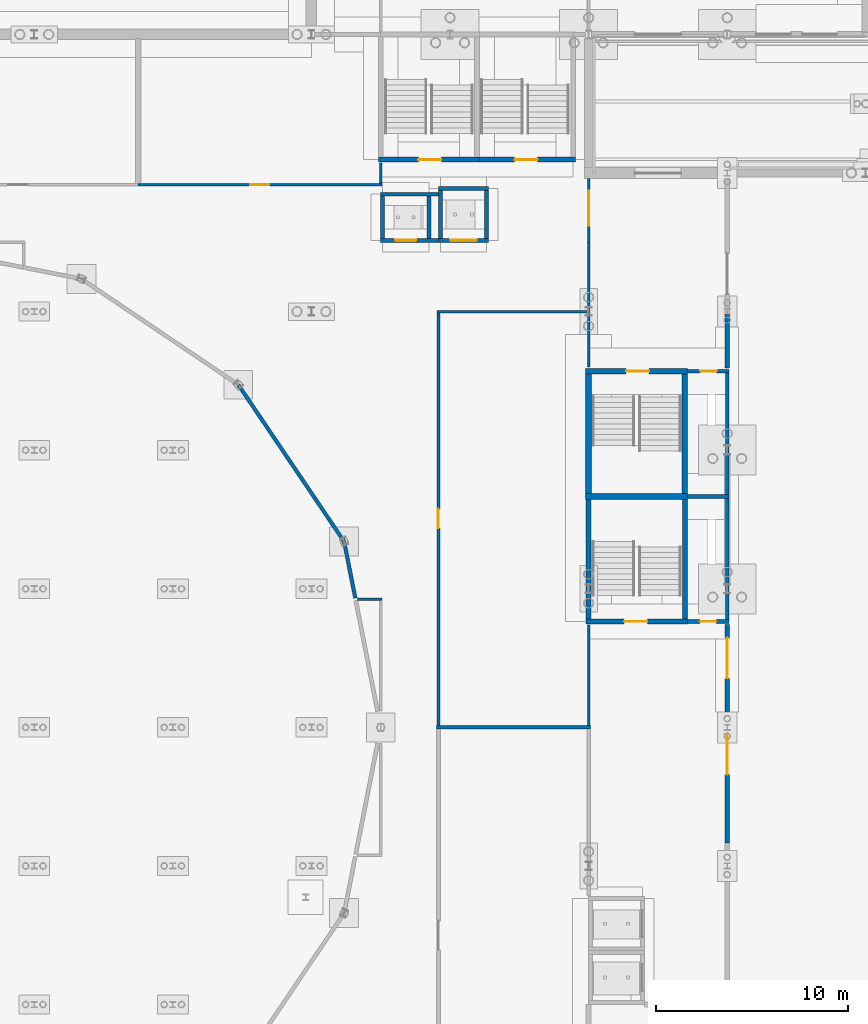
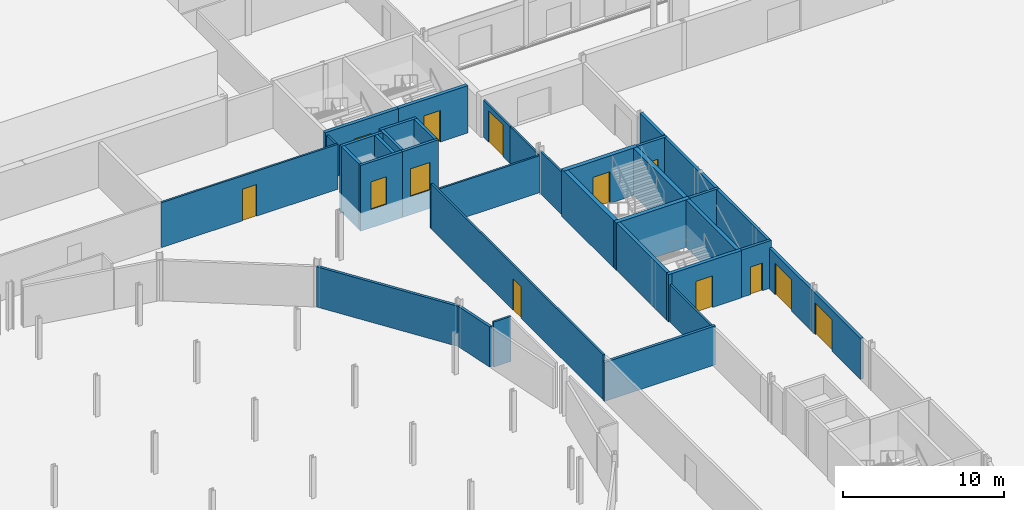
# One storey, part 84 of 148: 36 walls, 13 doors, 13 openings.
"""IFC4 building model written with IfcOpenShell, lengths in metres."""

from ifc_helpers import new_model, si_unit, direction, frame, frame_2d, origin, place, context, subcontext, project, spatial, rectangle, extrude, material, layer, layer_set, type_object, element, fill, save


model = new_model("IFC4")

# Units and contexts
model_context = context("Model", 3, precision=1e-05, world=origin(), true_north=direction((0.0, 1.0)))
body_context = subcontext(model_context, "Body", "Model", "MODEL_VIEW")
ifc_project = project(units=[si_unit("LENGTHUNIT", "METRE"), si_unit("AREAUNIT", "SQUARE_METRE"), si_unit("VOLUMEUNIT", "CUBIC_METRE"), si_unit("PLANEANGLEUNIT", "RADIAN"), si_unit("MASSUNIT", "GRAM", prefix="KILO")], contexts=[model_context])

# Site, building, storey
site_placement = place(None, origin())
site = spatial("IfcSite", under=ifc_project, at=site_placement, CompositionType="ELEMENT")
building_placement = place(site_placement, origin())
building = spatial("IfcBuilding", under=site, at=building_placement, Name="Kupolbacken Congress Centre", CompositionType="ELEMENT")
storey_placement = place(building_placement, origin())
storey = spatial("IfcBuildingStorey", under=building, at=storey_placement, Name="L00", CompositionType="ELEMENT", Elevation=0.0)

# Wall, opening, door
ifc_material_1 = material(Name="Gypsum board", Category="drywall")
ifc_layer_1 = layer(ifc_material_1, 0.135009765625)
ifc_layer_set_1 = layer_set([ifc_layer_1], Name="Gypsum board")
wall_type_1 = type_object("IfcWallType", Name="P06 compartment wall 135", PredefinedType="PARTITIONING", material=ifc_layer_set_1)
wall_1_placement = place(storey_placement, frame((79.199951171875, 114.919921875, 0.0), z_axis=(0.0, 0.0, 1.0), x_axis=(0.0, -1.0, 0.0)))
wall_1 = element("IfcWall", 1, at=wall_1_placement, inside=storey, type_object=wall_type_1, Name="PD/L00/W010", PredefinedType="PARTITIONING", context=body_context, shape_type="SweptSolid", body=[
    extrude(rectangle(XDim=3.31982421875, YDim=0.135009765625, at=frame_2d((1.659912109375, 0.0))), origin(), (0.0, 0.0, 1.0), 2.81005859375),
])
opening_1_placement = place(wall_1_placement, frame((0.64990234375, 0.0, 0.0)))
opening_1 = element("IfcOpeningElement", 2, at=opening_1_placement, cuts=wall_1, Name="Opening 0.P24", PredefinedType="OPENING", context=body_context, shape_type="SweptSolid", body=[
    extrude(rectangle(XDim=1.800048828125, YDim=2.39990234375, at=frame_2d((0.89990234375, 1.199951171875))), frame((0.0, 0.077392578125, 0.0), z_axis=(0.0, -1.0, 0.0), x_axis=(1.0, 0.0, 0.0)), (0.0, 0.0, 1.0), 0.155029296875),
])
ifc_material_2 = material(Name="Steel fire door leaf", Category="steel")
door_type_1 = type_object("IfcDoorType", Name="D15 fire door 1800x2400", OperationType="DOUBLE_DOOR_SINGLE_SWING", PredefinedType="DOOR", material=ifc_material_2)
door_1_placement = place(opening_1_placement, origin())
door_1 = element("IfcDoor", 3, at=door_1_placement, inside=storey, type_object=door_type_1, Name="PD/L00/W010/D0P24", OperationType="DOUBLE_DOOR_SINGLE_SWING", OverallHeight=2.39990234375, OverallWidth=1.800048828125, PredefinedType="DOOR", context=body_context, shape_type="SweptSolid", body=[
    extrude(rectangle(XDim=1.800048828125, YDim=2.39990234375, at=frame_2d((0.89990234375, 1.199951171875))), frame((0.0, 0.02490234375, 0.0), z_axis=(0.0, -1.0, 0.0), x_axis=(1.0, 0.0, 0.0)), (0.0, 0.0, 1.0), 0.050048828125),
])
fill(opening_1, door_1)

# Walls
wall_2_placement = place(storey_placement, frame((68.39990234375, 114.66748046875, 0.0), z_axis=(0.0, 0.0, 1.0), x_axis=(0.0, 1.0, 0.0)))
element("IfcWall", 4, at=wall_2_placement, inside=storey, type_object=wall_type_1, Name="PD/L00/W011", PredefinedType="PARTITIONING", context=body_context, shape_type="SweptSolid", body=[
    extrude(rectangle(XDim=1.047607421875, YDim=0.135009765625, at=frame_2d((0.52392578125, 0.0))), origin(), (0.0, 0.0, 1.0), 3.419921875),
])
wall_3_placement = place(storey_placement, frame((79.199951171875, 91.715087890625, 0.0), z_axis=(0.0, 0.0, 1.0), x_axis=(0.0, -1.0, 0.0)))
element("IfcWall", 5, at=wall_3_placement, inside=storey, type_object=wall_type_1, Name="PD/L00/W018", PredefinedType="PARTITIONING", context=body_context, shape_type="SweptSolid", body=[
    extrude(rectangle(XDim=5.219970703125, YDim=0.135009765625, at=frame_2d((2.60986328125, 0.0))), origin(), (0.0, 0.0, 1.0), 2.860107421875),
])
wall_4_placement = place(storey_placement, frame((79.199951171875, 107.9326171875, 0.0), z_axis=(0.0, 0.0, 1.0), x_axis=(0.0, -1.0, 0.0)))
element("IfcWall", 6, at=wall_4_placement, inside=storey, type_object=wall_type_1, Name="PD/L00/W020", PredefinedType="PARTITIONING", context=body_context, shape_type="SweptSolid", body=[
    extrude(rectangle(XDim=2.822509765625, YDim=0.135009765625, at=frame_2d((1.4111328125, 0.0))), origin(), (0.0, 0.0, 1.0), 3.2099609375),
])
wall_5_placement = place(storey_placement, frame((79.199951171875, 111.60009765625, 0.0), z_axis=(0.0, 0.0, 1.0), x_axis=(0.0, -1.0, 0.0)))
element("IfcWall", 7, at=wall_5_placement, inside=storey, type_object=wall_type_1, Name="PD/L00/W021", PredefinedType="PARTITIONING", context=body_context, shape_type="SweptSolid", body=[
    extrude(rectangle(XDim=3.53271484375, YDim=0.135009765625, at=frame_2d((1.766357421875, 0.0))), origin(), (0.0, 0.0, 1.0), 2.81005859375),
])

# Wall, opening, door
wall_6_placement = place(storey_placement, frame((68.467529296875, 114.60009765625, 0.0), z_axis=(0.0, 0.0, 1.0), x_axis=(-1.0, 0.0, 0.0)))
wall_6 = element("IfcWall", 8, at=wall_6_placement, inside=storey, type_object=wall_type_1, Name="PD/L00/W091", PredefinedType="PARTITIONING", context=body_context, shape_type="SweptSolid", body=[
    extrude(rectangle(XDim=12.66748046875, YDim=0.135009765625, at=frame_2d((6.333740234375, 0.0))), origin(), (0.0, 0.0, 1.0), 3.419921875),
])
opening_2_placement = place(wall_6_placement, frame((5.85009765625, 0.0, 0.0)))
opening_2 = element("IfcOpeningElement", 9, at=opening_2_placement, cuts=wall_6, Name="Opening 0.P16", PredefinedType="OPENING", context=body_context, shape_type="SweptSolid", body=[
    extrude(rectangle(XDim=1.0, YDim=2.39990234375, at=frame_2d((0.5, 1.199951171875))), frame((0.0, 0.077392578125, 0.0), z_axis=(0.0, -1.0, 0.0), x_axis=(1.0, 0.0, 0.0)), (0.0, 0.0, 1.0), 0.155029296875),
])
ifc_material_3 = material(Name="Steel fire door leaf", Category="steel")
door_type_2 = type_object("IfcDoorType", Name="D8 fire door 1000x2400", OperationType="SINGLE_SWING_LEFT", PredefinedType="DOOR", material=ifc_material_3)
door_2_placement = place(opening_2_placement, frame((1.0, 0.0, 0.0), z_axis=(0.0, 0.0, 1.0), x_axis=(-1.0, 0.0, 0.0)))
door_2 = element("IfcDoor", 10, at=door_2_placement, inside=storey, type_object=door_type_2, Name="PD/L00/W091/D0P16", OperationType="SINGLE_SWING_LEFT", OverallHeight=2.39990234375, OverallWidth=1.0, PredefinedType="DOOR", context=body_context, shape_type="SweptSolid", body=[
    extrude(rectangle(XDim=1.0, YDim=2.39990234375, at=frame_2d((0.5, 1.199951171875))), frame((0.0, 0.02490234375, 0.0), z_axis=(0.0, -1.0, 0.0), x_axis=(1.0, 0.0, 0.0)), (0.0, 0.0, 1.0), 0.050048828125),
])
fill(opening_2, door_2)

# Wall
wall_7_placement = place(storey_placement, frame((71.33251953125, 108.0, 0.0), z_axis=(0.0, 0.0, 1.0), x_axis=(1.0, 0.0, 0.0)))
element("IfcWall", 11, at=wall_7_placement, inside=storey, type_object=wall_type_1, Name="PD/L00/W095", PredefinedType="PARTITIONING", context=body_context, shape_type="SweptSolid", body=[
    extrude(rectangle(XDim=7.93505859375, YDim=0.135009765625, at=frame_2d((3.967529296875, 0.0))), origin(), (0.0, 0.0, 1.0), 2.81005859375),
])

# Wall, opening, door
wall_8_placement = place(storey_placement, frame((71.39990234375, 86.4951171875, 0.0), z_axis=(0.0, 0.0, 1.0), x_axis=(0.0, 1.0, 0.0)))
wall_8 = element("IfcWall", 12, at=wall_8_placement, inside=storey, type_object=wall_type_1, Name="PD/L00/W096", PredefinedType="PARTITIONING", context=body_context, shape_type="SweptSolid", body=[
    extrude(rectangle(XDim=21.4375, YDim=0.135009765625, at=frame_2d((10.71875, 0.0))), origin(), (0.0, 0.0, 1.0), 3.419921875),
])
opening_3_placement = place(wall_8_placement, frame((10.25, 0.0, 0.0)))
opening_3 = element("IfcOpeningElement", 13, at=opening_3_placement, cuts=wall_8, Name="Opening 0.P18", PredefinedType="OPENING", context=body_context, shape_type="SweptSolid", body=[
    extrude(rectangle(XDim=1.0, YDim=2.39990234375, at=frame_2d((0.5, 1.199951171875))), frame((0.0, 0.077392578125, 0.0), z_axis=(0.0, -1.0, 0.0), x_axis=(1.0, 0.0, 0.0)), (0.0, 0.0, 1.0), 0.155029296875),
])
door_3_placement = place(opening_3_placement, origin())
door_3 = element("IfcDoor", 14, at=door_3_placement, inside=storey, type_object=door_type_2, Name="PD/L00/W096/D0P18", OperationType="SINGLE_SWING_RIGHT", OverallHeight=2.39990234375, OverallWidth=1.0, PredefinedType="DOOR", context=body_context, shape_type="SweptSolid", body=[
    extrude(rectangle(XDim=1.0, YDim=2.39990234375, at=frame_2d((0.5, 1.199951171875))), frame((0.0, 0.02490234375, 0.0), z_axis=(0.0, -1.0, 0.0), x_axis=(1.0, 0.0, 0.0)), (0.0, 0.0, 1.0), 0.050048828125),
])
fill(opening_3, door_3)

# Walls
wall_9_placement = place(storey_placement, frame((68.467529296875, 93.050048828125, 0.0), z_axis=(0.0, 0.0, 1.0), x_axis=(-1.0, 0.0, 0.0)))
element("IfcWall", 15, at=wall_9_placement, inside=storey, type_object=wall_type_1, Name="PD/L00/W121", PredefinedType="PARTITIONING", context=body_context, shape_type="SweptSolid", body=[
    extrude(rectangle(XDim=1.28173828125, YDim=0.135009765625, at=frame_2d((0.640869140625, 0.0))), origin(), (0.0, 0.0, 1.0), 3.419921875),
])
ifc_material_4 = material(Name="Gypsum board", Category="drywall")
ifc_layer_2 = layer(ifc_material_4, 0.18994140625)
ifc_layer_set_2 = layer_set([ifc_layer_2], Name="Gypsum board")
wall_type_2 = type_object("IfcWallType", Name="P10 partition 190", PredefinedType="PARTITIONING", material=ifc_layer_set_2)
wall_10_placement = place(storey_placement, frame((61.0, 104.199951171875, 0.0), z_axis=(0.0, 0.0, 1.0), x_axis=(0.559390118145, -0.828904515443, 0.0)))
element("IfcWall", 16, at=wall_10_placement, inside=storey, type_object=wall_type_2, Name="PD/L00/W076", PredefinedType="PARTITIONING", context=body_context, shape_type="SweptSolid", body=[
    extrude(rectangle(XDim=9.83203125, YDim=0.18994140625, at=frame_2d((4.916015625, 0.0))), origin(), (0.0, 0.0, 1.0), 3.06005859375),
])
wall_11_placement = place(storey_placement, frame((66.5, 96.050048828125, 0.0), z_axis=(0.0, 0.0, 1.0), x_axis=(0.193179069745, -0.98116351696, 0.0)))
element("IfcWall", 17, at=wall_11_placement, inside=storey, type_object=wall_type_2, Name="PD/L00/W077", PredefinedType="PARTITIONING", context=body_context, shape_type="SweptSolid", body=[
    extrude(rectangle(XDim=2.990234375, YDim=0.18994140625, at=frame_2d((1.4951171875, 0.0))), origin(), (0.0, 0.0, 1.0), 3.06005859375),
])
wall_12_placement = place(storey_placement, frame((71.304931640625, 86.39990234375, 0.0), z_axis=(0.0, 0.0, 1.0), x_axis=(1.0, 0.0, 0.0)))
element("IfcWall", 18, at=wall_12_placement, inside=storey, type_object=wall_type_2, Name="PD/L00/W092", PredefinedType="PARTITIONING", context=body_context, shape_type="SweptSolid", body=[
    extrude(rectangle(XDim=7.989990234375, YDim=0.18994140625, at=frame_2d((3.9951171875, 0.0))), origin(), (0.0, 0.0, 1.0), 2.9599609375),
])

# Wall, openings, doors
ifc_material_5 = material(Name="Dense concrete block", Category="masonry")
ifc_layer_3 = layer(ifc_material_5, 0.215087890625)
ifc_layer_set_3 = layer_set([ifc_layer_3], Name="Dense concrete block")
wall_type_3 = type_object("IfcWallType", Name="P15 partition 215", PredefinedType="PARTITIONING", material=ifc_layer_set_3)
wall_13_placement = place(storey_placement, frame((86.39990234375, 80.39990234375, 0.0), z_axis=(0.0, 0.0, 1.0), x_axis=(0.0, 1.0, 0.0)))
wall_13 = element("IfcWall", 19, at=wall_13_placement, inside=storey, type_object=wall_type_3, Name="PD/L00/W019", PredefinedType="PARTITIONING", context=body_context, shape_type="SweptSolid", body=[
    extrude(rectangle(XDim=11.340087890625, YDim=0.215087890625, at=frame_2d((5.669921875, 0.0))), origin(), (0.0, 0.0, 1.0), 3.1201171875),
])
opening_4_placement = place(wall_13_placement, frame((3.550048828125, 0.0, 0.0)))
opening_4 = element("IfcOpeningElement", 20, at=opening_4_placement, cuts=wall_13, Name="Opening 0.H01", PredefinedType="OPENING", context=body_context, shape_type="SweptSolid", body=[
    extrude(rectangle(XDim=2.10009765625, YDim=2.39990234375, at=frame_2d((1.050048828125, 1.199951171875))), frame((0.0, 0.117431640625, 0.0), z_axis=(0.0, -1.0, 0.0), x_axis=(1.0, 0.0, 0.0)), (0.0, 0.0, 1.0), 0.235107421875),
])
opening_5_placement = place(wall_13_placement, frame((8.550048828125, 0.0, 0.0)))
opening_5 = element("IfcOpeningElement", 21, at=opening_5_placement, cuts=wall_13, Name="Opening 0.H02", PredefinedType="OPENING", context=body_context, shape_type="SweptSolid", body=[
    extrude(rectangle(XDim=2.10009765625, YDim=2.39990234375, at=frame_2d((1.050048828125, 1.199951171875))), frame((0.0, 0.117431640625, 0.0), z_axis=(0.0, -1.0, 0.0), x_axis=(1.0, 0.0, 0.0)), (0.0, 0.0, 1.0), 0.235107421875),
])
ifc_material_6 = material(Name="Steel fire door leaf", Category="steel")
door_type_3 = type_object("IfcDoorType", Name="D17 fire door 2100x2400", OperationType="DOUBLE_DOOR_SINGLE_SWING", PredefinedType="DOOR", material=ifc_material_6)
door_4_placement = place(opening_4_placement, origin())
door_4 = element("IfcDoor", 22, at=door_4_placement, inside=storey, type_object=door_type_3, Name="PD/L00/W019/D0H01", OperationType="DOUBLE_DOOR_SINGLE_SWING", OverallHeight=2.39990234375, OverallWidth=2.10009765625, PredefinedType="DOOR", context=body_context, shape_type="SweptSolid", body=[
    extrude(rectangle(XDim=2.10009765625, YDim=2.39990234375, at=frame_2d((1.050048828125, 1.199951171875))), frame((0.0, 0.02490234375, 0.0), z_axis=(0.0, -1.0, 0.0), x_axis=(1.0, 0.0, 0.0)), (0.0, 0.0, 1.0), 0.050048828125),
])
fill(opening_4, door_4)
door_5_placement = place(opening_5_placement, origin())
door_5 = element("IfcDoor", 23, at=door_5_placement, inside=storey, type_object=door_type_3, Name="PD/L00/W019/D0H02", OperationType="DOUBLE_DOOR_SINGLE_SWING", OverallHeight=2.39990234375, OverallWidth=2.10009765625, PredefinedType="DOOR", context=body_context, shape_type="SweptSolid", body=[
    extrude(rectangle(XDim=2.10009765625, YDim=2.39990234375, at=frame_2d((1.050048828125, 1.199951171875))), frame((0.0, 0.02490234375, 0.0), z_axis=(0.0, -1.0, 0.0), x_axis=(1.0, 0.0, 0.0)), (0.0, 0.0, 1.0), 0.050048828125),
])
fill(opening_5, door_5)

# Wall
wall_14_placement = place(storey_placement, frame((86.39990234375, 105.06005859375, 0.0), z_axis=(0.0, 0.0, 1.0), x_axis=(0.0, 1.0, 0.0)))
element("IfcWall", 24, at=wall_14_placement, inside=storey, type_object=wall_type_3, Name="PD/L00/W022", PredefinedType="PARTITIONING", context=body_context, shape_type="SweptSolid", body=[
    extrude(rectangle(XDim=2.794921875, YDim=0.215087890625, at=frame_2d((1.3974609375, 0.0))), origin(), (0.0, 0.0, 1.0), 3.60009765625),
])

# Wall, opening, door
ifc_material_7 = material(Name="Concrete C40/50", Category="concrete")
ifc_layer_4 = layer(ifc_material_7, 0.199951171875)
ifc_layer_set_4 = layer_set([ifc_layer_4], Name="Concrete C40/50")
wall_type_4 = type_object("IfcWallType", Name="WC1 RC shaft wall 200", PredefinedType="SHEAR", material=ifc_layer_set_4)
wall_15_placement = place(storey_placement, frame((84.324951171875, 91.89990234375, 0.0), z_axis=(0.0, 0.0, 1.0), x_axis=(1.0, 0.0, 0.0)))
wall_15 = element("IfcWall", 25, at=wall_15_placement, inside=storey, type_object=wall_type_4, Name="Shaft wall L00-053", PredefinedType="SHEAR", context=body_context, shape_type="SweptSolid", body=[
    extrude(rectangle(XDim=2.175048828125, YDim=0.199951171875, at=frame_2d((1.08740234375, 0.0))), origin(), (0.0, 0.0, 1.0), 3.60009765625),
])
opening_6_placement = place(wall_15_placement, frame((0.64990234375, 0.0, 0.0)))
opening_6 = element("IfcOpeningElement", 26, at=opening_6_placement, cuts=wall_15, Name="Opening 0.L08", PredefinedType="OPENING", context=body_context, shape_type="SweptSolid", body=[
    extrude(rectangle(XDim=0.85009765625, YDim=2.10009765625, at=frame_2d((0.425048828125, 1.050048828125))), frame((0.0, 0.10986328125, 0.0), z_axis=(0.0, -1.0, 0.0), x_axis=(1.0, 0.0, 0.0)), (0.0, 0.0, 1.0), 0.219970703125),
])
ifc_material_8 = material(Name="Steel fire door leaf", Category="steel")
door_type_4 = type_object("IfcDoorType", Name="D3 fire door 850x2100", OperationType="SINGLE_SWING_LEFT", PredefinedType="DOOR", material=ifc_material_8)
door_6_placement = place(opening_6_placement, origin())
door_6 = element("IfcDoor", 27, at=door_6_placement, inside=storey, type_object=door_type_4, Name="S/core/L00/053/D0L08", OperationType="SINGLE_SWING_LEFT", OverallHeight=2.10009765625, OverallWidth=0.85009765625, PredefinedType="DOOR", context=body_context, shape_type="SweptSolid", body=[
    extrude(rectangle(XDim=0.85009765625, YDim=2.10009765625, at=frame_2d((0.425048828125, 1.050048828125))), frame((0.0, 0.02490234375, 0.0), z_axis=(0.0, -1.0, 0.0), x_axis=(1.0, 0.0, 0.0)), (0.0, 0.0, 1.0), 0.050048828125),
])
fill(opening_6, door_6)

# Walls
wall_16_placement = place(storey_placement, frame((86.39990234375, 91.800048828125, 0.0), z_axis=(0.0, 0.0, 1.0), x_axis=(0.0, 1.0, 0.0)))
element("IfcWall", 28, at=wall_16_placement, inside=storey, type_object=wall_type_4, Name="Shaft wall L00-055", PredefinedType="SHEAR", context=body_context, shape_type="SweptSolid", body=[
    extrude(rectangle(XDim=6.699951171875, YDim=0.199951171875, at=frame_2d((3.35009765625, 0.0))), origin(), (0.0, 0.0, 1.0), 3.60009765625),
])
wall_17_placement = place(storey_placement, frame((84.35009765625, 98.39990234375, 0.0), z_axis=(0.0, 0.0, 1.0), x_axis=(1.0, 0.0, 0.0)))
element("IfcWall", 29, at=wall_17_placement, inside=storey, type_object=wall_type_4, Name="Shaft wall L00-058", PredefinedType="SHEAR", context=body_context, shape_type="SweptSolid", body=[
    extrude(rectangle(XDim=2.14990234375, YDim=0.199951171875, at=frame_2d((1.074951171875, 0.0))), origin(), (0.0, 0.0, 1.0), 3.60009765625),
])
wall_18_placement = place(storey_placement, frame((86.39990234375, 98.5, 0.0), z_axis=(0.0, 0.0, 1.0), x_axis=(0.0, 1.0, 0.0)))
element("IfcWall", 30, at=wall_18_placement, inside=storey, type_object=wall_type_4, Name="Shaft wall L00-060", PredefinedType="SHEAR", context=body_context, shape_type="SweptSolid", body=[
    extrude(rectangle(XDim=6.5, YDim=0.199951171875, at=frame_2d((3.25, 0.0))), origin(), (0.0, 0.0, 1.0), 3.60009765625),
])

# Wall, opening, door
wall_19_placement = place(storey_placement, frame((86.5, 104.89990234375, 0.0), z_axis=(0.0, 0.0, 1.0), x_axis=(-1.0, 0.0, 0.0)))
wall_19 = element("IfcWall", 31, at=wall_19_placement, inside=storey, type_object=wall_type_4, Name="Shaft wall L00-063", PredefinedType="SHEAR", context=body_context, shape_type="SweptSolid", body=[
    extrude(rectangle(XDim=2.14990234375, YDim=0.199951171875, at=frame_2d((1.074951171875, 0.0))), origin(), (0.0, 0.0, 1.0), 3.60009765625),
])
opening_7_placement = place(wall_19_placement, frame((0.64990234375, 0.0, 0.0)))
opening_7 = element("IfcOpeningElement", 32, at=opening_7_placement, cuts=wall_19, Name="Opening 0.L06", PredefinedType="OPENING", context=body_context, shape_type="SweptSolid", body=[
    extrude(rectangle(XDim=0.85009765625, YDim=2.10009765625, at=frame_2d((0.425048828125, 1.050048828125))), frame((0.0, 0.10986328125, 0.0), z_axis=(0.0, -1.0, 0.0), x_axis=(1.0, 0.0, 0.0)), (0.0, 0.0, 1.0), 0.219970703125),
])
door_7_placement = place(opening_7_placement, origin())
door_7 = element("IfcDoor", 33, at=door_7_placement, inside=storey, type_object=door_type_4, Name="S/core/L00/063/D0L06", OperationType="SINGLE_SWING_RIGHT", OverallHeight=2.10009765625, OverallWidth=0.85009765625, PredefinedType="DOOR", context=body_context, shape_type="SweptSolid", body=[
    extrude(rectangle(XDim=0.85009765625, YDim=2.10009765625, at=frame_2d((0.425048828125, 1.050048828125))), frame((0.0, 0.02490234375, 0.0), z_axis=(0.0, -1.0, 0.0), x_axis=(1.0, 0.0, 0.0)), (0.0, 0.0, 1.0), 0.050048828125),
])
fill(opening_7, door_7)

wall_20_placement = place(storey_placement, frame((68.39990234375, 111.699951171875, -1.39990234375), z_axis=(0.0, 0.0, 1.0), x_axis=(1.0, 0.0, 0.0)))
wall_20 = element("IfcWall", 34, at=wall_20_placement, inside=storey, type_object=wall_type_4, Name="Shaft wall LP8", PredefinedType="SHEAR", context=body_context, shape_type="SweptSolid", body=[
    extrude(rectangle(XDim=3.0, YDim=0.199951171875, at=frame_2d((1.5, 0.0))), origin(), (0.0, 0.0, 1.0), 5.0),
])
opening_8_placement = place(wall_20_placement, frame((0.75, 0.0, 1.39990234375)))
opening_8 = element("IfcOpeningElement", 35, at=opening_8_placement, cuts=wall_20, Name="Opening LD2", PredefinedType="OPENING", context=body_context, shape_type="SweptSolid", body=[
    extrude(rectangle(XDim=1.10009765625, YDim=2.10009765625, at=frame_2d((0.550048828125, 1.050048828125))), frame((0.0, 0.10986328125, 0.0), z_axis=(0.0, -1.0, 0.0), x_axis=(1.0, 0.0, 0.0)), (0.0, 0.0, 1.0), 0.219970703125),
])
ifc_material_9 = material(Name="Stainless steel door leaf", Category="steel")
door_type_5 = type_object("IfcDoorType", Name="LD2 lift landing door 1100x2100", OperationType="SLIDING_TO_LEFT", PredefinedType="DOOR", material=ifc_material_9)
door_8_placement = place(opening_8_placement, origin())
door_8 = element("IfcDoor", 36, at=door_8_placement, inside=storey, type_object=door_type_5, Name="Lift landing door LP8", OperationType="SLIDING_TO_LEFT", OverallHeight=2.10009765625, OverallWidth=1.10009765625, PredefinedType="DOOR", context=body_context, shape_type="SweptSolid", body=[
    extrude(rectangle(XDim=1.10009765625, YDim=2.10009765625, at=frame_2d((0.550048828125, 1.050048828125))), frame((0.0, 0.02490234375, 0.0), z_axis=(0.0, -1.0, 0.0), x_axis=(1.0, 0.0, 0.0)), (0.0, 0.0, 1.0), 0.050048828125),
])
fill(opening_8, door_8)

# Walls
wall_21_placement = place(storey_placement, frame((68.39990234375, 114.10009765625, -1.39990234375), z_axis=(0.0, 0.0, 1.0), x_axis=(1.0, 0.0, 0.0)))
element("IfcWall", 37, at=wall_21_placement, inside=storey, type_object=wall_type_4, Name="Shaft wall LP8", PredefinedType="SHEAR", context=body_context, shape_type="SweptSolid", body=[
    extrude(rectangle(XDim=3.0, YDim=0.199951171875, at=frame_2d((1.5, 0.0))), origin(), (0.0, 0.0, 1.0), 5.0),
])
for number, where, z_axis, x_axis, name in (
    (38, (68.5, 111.800048828125, -1.39990234375), (0.0, 0.0, 1.0), (0.0, 1.0, 0.0), "Shaft wall LP8"),
    (39, (70.89990234375, 111.800048828125, -1.39990234375), (0.0, 0.0, 1.0), (0.0, 1.0, 0.0), "Shaft wall LP8"),
):
    element("IfcWall", number, at=place(storey_placement, frame(where, z_axis=z_axis, x_axis=x_axis)), inside=storey, type_object=wall_type_4, Name=name, PredefinedType="SHEAR", context=body_context, shape_type="SweptSolid", body=[
        extrude(rectangle(XDim=2.199951171875, YDim=0.199951171875, at=frame_2d((1.10009765625, 0.0))), origin(), (0.0, 0.0, 1.0), 5.0),
    ])

# Wall, opening, door
wall_22_placement = place(storey_placement, frame((71.39990234375, 111.699951171875, -1.39990234375), z_axis=(0.0, 0.0, 1.0), x_axis=(1.0, 0.0, 0.0)))
wall_22 = element("IfcWall", 40, at=wall_22_placement, inside=storey, type_object=wall_type_4, Name="Shaft wall LG2", PredefinedType="SHEAR", context=body_context, shape_type="SweptSolid", body=[
    extrude(rectangle(XDim=2.60009765625, YDim=0.199951171875, at=frame_2d((1.300048828125, 0.0))), origin(), (0.0, 0.0, 1.0), 5.0),
])
opening_9_placement = place(wall_22_placement, frame((0.60009765625, 0.0, 1.39990234375)))
opening_9 = element("IfcOpeningElement", 41, at=opening_9_placement, cuts=wall_22, Name="Opening LD3", PredefinedType="OPENING", context=body_context, shape_type="SweptSolid", body=[
    extrude(rectangle(XDim=1.39990234375, YDim=2.10009765625, at=frame_2d((0.699951171875, 1.050048828125))), frame((0.0, 0.10986328125, 0.0), z_axis=(0.0, -1.0, 0.0), x_axis=(1.0, 0.0, 0.0)), (0.0, 0.0, 1.0), 0.219970703125),
])
ifc_material_10 = material(Name="Stainless steel door leaf", Category="steel")
door_type_6 = type_object("IfcDoorType", Name="LD3 lift landing door 1400x2100", OperationType="SLIDING_TO_LEFT", PredefinedType="DOOR", material=ifc_material_10)
door_9_placement = place(opening_9_placement, origin())
door_9 = element("IfcDoor", 42, at=door_9_placement, inside=storey, type_object=door_type_6, Name="Lift landing door LG2", OperationType="SLIDING_TO_LEFT", OverallHeight=2.10009765625, OverallWidth=1.39990234375, PredefinedType="DOOR", context=body_context, shape_type="SweptSolid", body=[
    extrude(rectangle(XDim=1.39990234375, YDim=2.10009765625, at=frame_2d((0.699951171875, 1.050048828125))), frame((0.0, 0.02490234375, 0.0), z_axis=(0.0, -1.0, 0.0), x_axis=(1.0, 0.0, 0.0)), (0.0, 0.0, 1.0), 0.050048828125),
])
fill(opening_9, door_9)

# Walls
wall_23_placement = place(storey_placement, frame((71.39990234375, 114.39990234375, -1.39990234375), z_axis=(0.0, 0.0, 1.0), x_axis=(1.0, 0.0, 0.0)))
element("IfcWall", 43, at=wall_23_placement, inside=storey, type_object=wall_type_4, Name="Shaft wall LG2", PredefinedType="SHEAR", context=body_context, shape_type="SweptSolid", body=[
    extrude(rectangle(XDim=2.60009765625, YDim=0.199951171875, at=frame_2d((1.300048828125, 0.0))), origin(), (0.0, 0.0, 1.0), 5.0),
])
for number, where, z_axis, x_axis, name in (
    (44, (71.5, 111.800048828125, -1.39990234375), (0.0, 0.0, 1.0), (0.0, 1.0, 0.0), "Shaft wall LG2"),
    (45, (73.89990234375, 111.800048828125, -1.39990234375), (0.0, 0.0, 1.0), (0.0, 1.0, 0.0), "Shaft wall LG2"),
):
    element("IfcWall", number, at=place(storey_placement, frame(where, z_axis=z_axis, x_axis=x_axis)), inside=storey, type_object=wall_type_4, Name=name, PredefinedType="SHEAR", context=body_context, shape_type="SweptSolid", body=[
        extrude(rectangle(XDim=2.5, YDim=0.199951171875, at=frame_2d((1.25, 0.0))), origin(), (0.0, 0.0, 1.0), 5.0),
    ])

# Wall, opening, door
ifc_material_11 = material(Name="Concrete C40/50", Category="concrete")
ifc_layer_5 = layer(ifc_material_11, 0.25)
ifc_layer_set_5 = layer_set([ifc_layer_5], Name="Concrete C40/50")
wall_type_5 = type_object("IfcWallType", Name="WC2 RC stair enclosure wall 250", PredefinedType="SHEAR", material=ifc_layer_set_5)
wall_24_placement = place(storey_placement, frame((79.074951171875, 91.89990234375, 0.0), z_axis=(0.0, 0.0, 1.0), x_axis=(1.0, 0.0, 0.0)))
wall_24 = element("IfcWall", 46, at=wall_24_placement, inside=storey, type_object=wall_type_5, Name="Stair enclosure wall L00-052", PredefinedType="SHEAR", context=body_context, shape_type="SweptSolid", body=[
    extrude(rectangle(XDim=5.25, YDim=0.25, at=frame_2d((2.625, 0.0))), origin(), (0.0, 0.0, 1.0), 3.60009765625),
])
opening_10_placement = place(wall_24_placement, frame((1.97509765625, 0.0, 0.0)))
opening_10 = element("IfcOpeningElement", 47, at=opening_10_placement, cuts=wall_24, Name="Opening 0.L03", PredefinedType="OPENING", context=body_context, shape_type="SweptSolid", body=[
    extrude(rectangle(XDim=1.199951171875, YDim=2.39990234375, at=frame_2d((0.60009765625, 1.199951171875))), frame((0.0, 0.135009765625, 0.0), z_axis=(0.0, -1.0, 0.0), x_axis=(1.0, 0.0, 0.0)), (0.0, 0.0, 1.0), 0.27001953125),
])
ifc_material_12 = material(Name="Steel fire door leaf", Category="steel")
door_type_7 = type_object("IfcDoorType", Name="D9 fire door 1200x2400", OperationType="SINGLE_SWING_LEFT", PredefinedType="DOOR", material=ifc_material_12)
door_10_placement = place(opening_10_placement, origin())
door_10 = element("IfcDoor", 48, at=door_10_placement, inside=storey, type_object=door_type_7, Name="S/core/L00/052/D0L03", OperationType="SINGLE_SWING_RIGHT", OverallHeight=2.39990234375, OverallWidth=1.199951171875, PredefinedType="DOOR", context=body_context, shape_type="SweptSolid", body=[
    extrude(rectangle(XDim=1.199951171875, YDim=2.39990234375, at=frame_2d((0.60009765625, 1.199951171875))), frame((0.0, 0.02490234375, 0.0), z_axis=(0.0, -1.0, 0.0), x_axis=(1.0, 0.0, 0.0)), (0.0, 0.0, 1.0), 0.050048828125),
])
fill(opening_10, door_10)

# Walls
for number, where, z_axis, x_axis, name in (
    (49, (84.199951171875, 91.77490234375, 0.0), (0.0, 0.0, 1.0), (0.0, 1.0, 0.0), "Stair enclosure wall L00-054"),
    (50, (79.199951171875, 98.550048828125, 0.0), (0.0, 0.0, 1.0), (0.0, -1.0, 0.0), "Stair enclosure wall L00-056"),
):
    element("IfcWall", number, at=place(storey_placement, frame(where, z_axis=z_axis, x_axis=x_axis)), inside=storey, type_object=wall_type_5, Name=name, PredefinedType="SHEAR", context=body_context, shape_type="SweptSolid", body=[
        extrude(rectangle(XDim=6.775146484375, YDim=0.25, at=frame_2d((3.3876953125, 0.0))), origin(), (0.0, 0.0, 1.0), 3.60009765625),
    ])

# Wall, opening, door
wall_25_placement = place(storey_placement, frame((68.27490234375, 115.89990234375, 0.0), z_axis=(0.0, 0.0, 1.0), x_axis=(1.0, 0.0, 0.0)))
wall_25 = element("IfcWall", 51, at=wall_25_placement, inside=storey, type_object=wall_type_5, Name="Stair enclosure wall L00-068", PredefinedType="SHEAR", context=body_context, shape_type="SweptSolid", body=[
    extrude(rectangle(XDim=5.25, YDim=0.25, at=frame_2d((2.625, 0.0))), origin(), (0.0, 0.0, 1.0), 3.60009765625),
])
opening_11_placement = place(wall_25_placement, frame((2.074951171875, 0.0, 0.0)))
opening_11 = element("IfcOpeningElement", 52, at=opening_11_placement, cuts=wall_25, Name="Opening 0.P07", PredefinedType="OPENING", context=body_context, shape_type="SweptSolid", body=[
    extrude(rectangle(XDim=1.199951171875, YDim=2.39990234375, at=frame_2d((0.60009765625, 1.199951171875))), frame((0.0, 0.135009765625, 0.0), z_axis=(0.0, -1.0, 0.0), x_axis=(1.0, 0.0, 0.0)), (0.0, 0.0, 1.0), 0.27001953125),
])
door_11_placement = place(opening_11_placement, origin())
door_11 = element("IfcDoor", 53, at=door_11_placement, inside=storey, type_object=door_type_7, Name="S/core/L00/068/D0P07", OperationType="SINGLE_SWING_LEFT", OverallHeight=2.39990234375, OverallWidth=1.199951171875, PredefinedType="DOOR", context=body_context, shape_type="SweptSolid", body=[
    extrude(rectangle(XDim=1.199951171875, YDim=2.39990234375, at=frame_2d((0.60009765625, 1.199951171875))), frame((0.0, 0.02490234375, 0.0), z_axis=(0.0, -1.0, 0.0), x_axis=(1.0, 0.0, 0.0)), (0.0, 0.0, 1.0), 0.050048828125),
])
fill(opening_11, door_11)

wall_26_placement = place(storey_placement, frame((73.52490234375, 115.89990234375, 0.0), z_axis=(0.0, 0.0, 1.0), x_axis=(1.0, 0.0, 0.0)))
wall_26 = element("IfcWall", 54, at=wall_26_placement, inside=storey, type_object=wall_type_5, Name="Stair enclosure wall L00-069", PredefinedType="SHEAR", context=body_context, shape_type="SweptSolid", body=[
    extrude(rectangle(XDim=5.0, YDim=0.25, at=frame_2d((2.5, 0.0))), origin(), (0.0, 0.0, 1.0), 3.60009765625),
])
opening_12_placement = place(wall_26_placement, frame((1.824951171875, 0.0, 0.0)))
opening_12 = element("IfcOpeningElement", 55, at=opening_12_placement, cuts=wall_26, Name="Opening 0.P08", PredefinedType="OPENING", context=body_context, shape_type="SweptSolid", body=[
    extrude(rectangle(XDim=1.199951171875, YDim=2.39990234375, at=frame_2d((0.60009765625, 1.199951171875))), frame((0.0, 0.135009765625, 0.0), z_axis=(0.0, -1.0, 0.0), x_axis=(1.0, 0.0, 0.0)), (0.0, 0.0, 1.0), 0.27001953125),
])
door_12_placement = place(opening_12_placement, origin())
door_12 = element("IfcDoor", 56, at=door_12_placement, inside=storey, type_object=door_type_7, Name="S/core/L00/069/D0P08", OperationType="SINGLE_SWING_LEFT", OverallHeight=2.39990234375, OverallWidth=1.199951171875, PredefinedType="DOOR", context=body_context, shape_type="SweptSolid", body=[
    extrude(rectangle(XDim=1.199951171875, YDim=2.39990234375, at=frame_2d((0.60009765625, 1.199951171875))), frame((0.0, 0.02490234375, 0.0), z_axis=(0.0, -1.0, 0.0), x_axis=(1.0, 0.0, 0.0)), (0.0, 0.0, 1.0), 0.050048828125),
])
fill(opening_12, door_12)

# Walls
ifc_material_13 = material(Name="Concrete C40/50", Category="concrete")
ifc_layer_6 = layer(ifc_material_13, 0.300048828125)
ifc_layer_set_6 = layer_set([ifc_layer_6], Name="Concrete C40/50")
wall_type_6 = type_object("IfcWallType", Name="WC3 RC core wall 300", PredefinedType="SHEAR", material=ifc_layer_set_6)
wall_27_placement = place(storey_placement, frame((84.35009765625, 98.39990234375, 0.0), z_axis=(0.0, 0.0, 1.0), x_axis=(-1.0, 0.0, 0.0)))
element("IfcWall", 57, at=wall_27_placement, inside=storey, type_object=wall_type_6, Name="Core wall L00-057", PredefinedType="SHEAR", context=body_context, shape_type="SweptSolid", body=[
    extrude(rectangle(XDim=5.300048828125, YDim=0.300048828125, at=frame_2d((2.64990234375, 0.0))), origin(), (0.0, 0.0, 1.0), 3.60009765625),
])
for number, where, z_axis, x_axis, name in (
    (58, (84.199951171875, 98.550048828125, 0.0), (0.0, 0.0, 1.0), (0.0, 1.0, 0.0), "Core wall L00-059"),
    (59, (79.199951171875, 105.050048828125, 0.0), (0.0, 0.0, 1.0), (0.0, -1.0, 0.0), "Core wall L00-061"),
):
    element("IfcWall", number, at=place(storey_placement, frame(where, z_axis=z_axis, x_axis=x_axis)), inside=storey, type_object=wall_type_6, Name=name, PredefinedType="SHEAR", context=body_context, shape_type="SweptSolid", body=[
        extrude(rectangle(XDim=6.5, YDim=0.300048828125, at=frame_2d((3.25, 0.0))), origin(), (0.0, 0.0, 1.0), 3.60009765625),
    ])

# Wall, opening, door
wall_28_placement = place(storey_placement, frame((84.35009765625, 104.89990234375, 0.0), z_axis=(0.0, 0.0, 1.0), x_axis=(-1.0, 0.0, 0.0)))
wall_28 = element("IfcWall", 60, at=wall_28_placement, inside=storey, type_object=wall_type_6, Name="Core wall L00-062", PredefinedType="SHEAR", context=body_context, shape_type="SweptSolid", body=[
    extrude(rectangle(XDim=5.300048828125, YDim=0.300048828125, at=frame_2d((2.64990234375, 0.0))), origin(), (0.0, 0.0, 1.0), 3.60009765625),
])
opening_13_placement = place(wall_28_placement, frame((2.0, 0.0, 0.0)))
opening_13 = element("IfcOpeningElement", 61, at=opening_13_placement, cuts=wall_28, Name="Opening 0.L04", PredefinedType="OPENING", context=body_context, shape_type="SweptSolid", body=[
    extrude(rectangle(XDim=1.199951171875, YDim=2.39990234375, at=frame_2d((0.60009765625, 1.199951171875))), frame((0.0, 0.159912109375, 0.0), z_axis=(0.0, -1.0, 0.0), x_axis=(1.0, 0.0, 0.0)), (0.0, 0.0, 1.0), 0.320068359375),
])
door_13_placement = place(opening_13_placement, origin())
door_13 = element("IfcDoor", 62, at=door_13_placement, inside=storey, type_object=door_type_7, Name="S/core/L00/062/D0L04", OperationType="SINGLE_SWING_RIGHT", OverallHeight=2.39990234375, OverallWidth=1.199951171875, PredefinedType="DOOR", context=body_context, shape_type="SweptSolid", body=[
    extrude(rectangle(XDim=1.199951171875, YDim=2.39990234375, at=frame_2d((0.60009765625, 1.199951171875))), frame((0.0, 0.02490234375, 0.0), z_axis=(0.0, -1.0, 0.0), x_axis=(1.0, 0.0, 0.0)), (0.0, 0.0, 1.0), 0.050048828125),
])
fill(opening_13, door_13)

save(model, "model.ifc")
